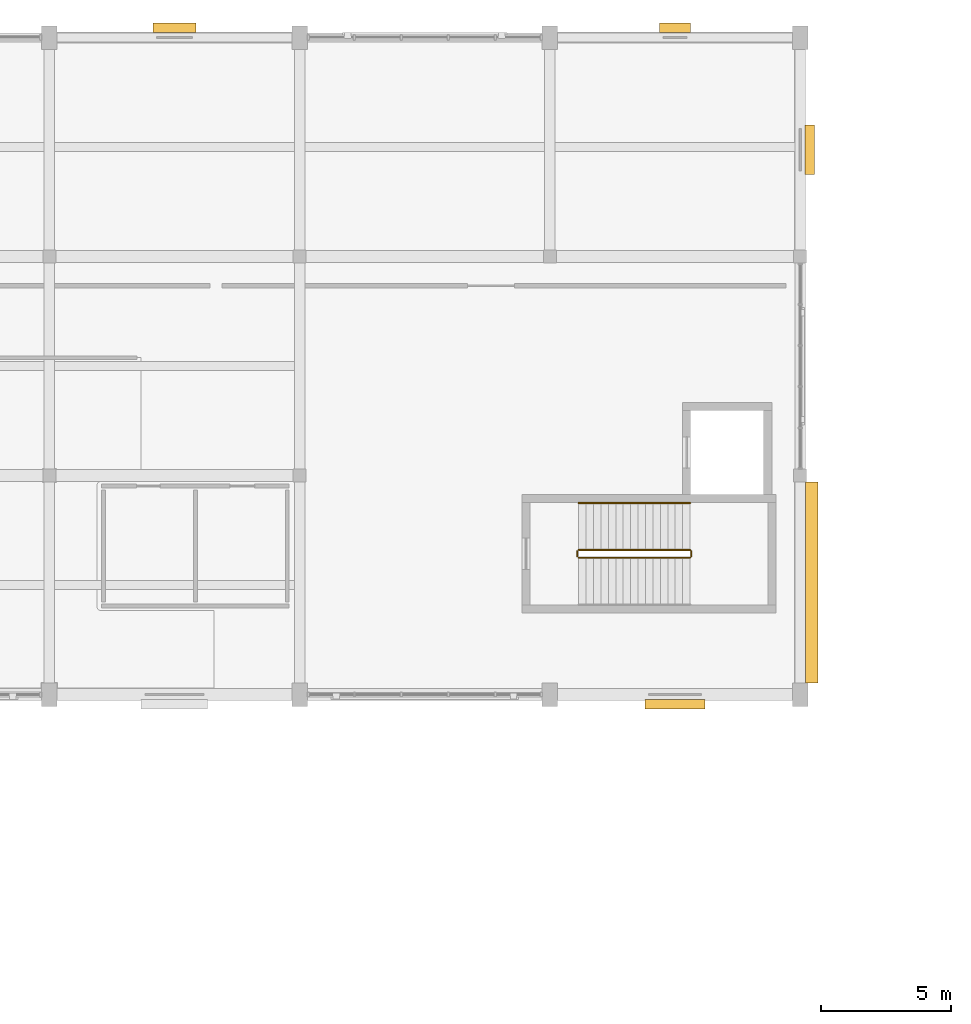
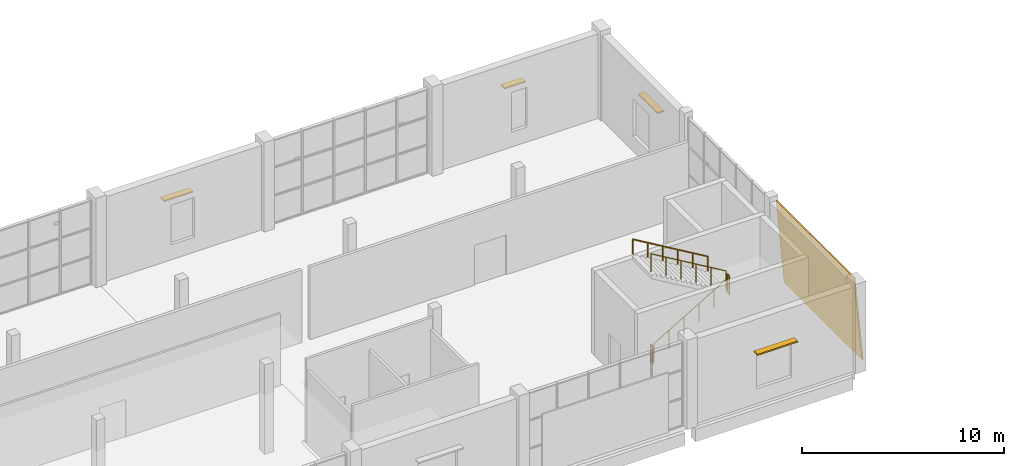
# One storey, part 66 of 72: 5 railings, 4 shading devices, 1 covering.
"""IFC4 building model written with IfcOpenShell, lengths in metres."""

from ifc_helpers import new_model, si_unit, direction, frame, origin, origin_2d, place, context, subcontext, project, spatial, polyline, rectangle, circle, outline, extrude, material, layer, layer_set, type_object, element, save


model = new_model("IFC4")

# Units and contexts
model_context = context("Model", 3, precision=1e-05, world=origin(), true_north=direction((0.0, 1.0)))
body_context = subcontext(model_context, "Body", "Model", "MODEL_VIEW")
ifc_project = project(units=[si_unit("LENGTHUNIT", "METRE"), si_unit("AREAUNIT", "SQUARE_METRE"), si_unit("VOLUMEUNIT", "CUBIC_METRE"), si_unit("PLANEANGLEUNIT", "RADIAN"), si_unit("MASSUNIT", "GRAM", prefix="KILO")], contexts=[model_context])

# Site, building, storey
site_placement = place(None, origin())
site = spatial("IfcSite", under=ifc_project, at=site_placement, CompositionType="ELEMENT")
building_placement = place(site_placement, origin())
building = spatial("IfcBuilding", under=site, at=building_placement, Name="Shalvenor Court Art Gallery", CompositionType="ELEMENT")
storey_placement = place(building_placement, frame((0.0, 0.0, 11.39990234375)))
storey = spatial("IfcBuildingStorey", under=building, at=storey_placement, Name="L02", CompositionType="ELEMENT", Elevation=11.39990234375)

# Covering
ifc_material_1 = material(Name="Pale Mediterranean limestone cladding", Category="masonry")
ifc_layer = layer(ifc_material_1, 0.080078125, Name="Pale Mediterranean limestone cladding")
ifc_layer_set = layer_set([ifc_layer], Name="Pale Mediterranean limestone cladding")
covering_type = type_object("IfcCoveringType", Name="CLD-01", PredefinedType="CLADDING", material=ifc_layer_set)
covering_placement = place(storey_placement, frame((125.47412109375, 97.64990234375, 0.0), z_axis=(0.0, 0.0, 1.0), x_axis=(0.0, 1.0, 0.0)))
element("IfcCovering", 1, at=covering_placement, inside=storey, type_object=covering_type, Name="L02 V2 Tapered Limestone Cladding 36", PredefinedType="CLADDING", context=body_context, shape_type="SweptSolid", body=[
    extrude(outline(polyline([(0.0, 0.0), (7.7001953125, 0.0), (7.7001953125, 5.12109375), (0.0, 5.12109375), (0.0, 0.0)])), frame((0.0, 0.0, 0.0), z_axis=(0.0, -0.995884398616, 0.090632580198), x_axis=(1.0, 0.0, 0.0)), (0.0, 0.090632580198, -0.995884398616), 0.080322265625),
])

# Railings
ifc_material_2 = material(Name="Painted steel post-and-rail guard", Category="steel")
railing_type_1 = type_object("IfcRailingType", Name="GR-02", PredefinedType="GUARDRAIL", material=ifc_material_2)
railing_1_placement = place(storey_placement, frame((116.300048828125, 102.449951171875, 0.1689453125)))
element("IfcRailing", 2, at=railing_1_placement, inside=storey, type_object=railing_type_1, Name="L02 ST-05 Stair Guard 1", PredefinedType="GUARDRAIL", context=body_context, shape_type="SweptSolid", body=[
    extrude(circle(Radius=0.02392578125, at=origin_2d()), frame((0.0, 0.0, 1.09619140625), z_axis=(0.860470286479, 0.0, 0.509500624227), x_axis=(0.0, 1.0, 0.0)), (0.0, 0.0, 1.0), 4.968017578125),
    extrude(circle(Radius=0.02099609375, at=origin_2d()), origin(), (0.0, 0.0, 1.0), 1.072021484375),
    extrude(circle(Radius=0.02099609375, at=origin_2d()), frame((0.85498046875, 0.0, 0.50634765625)), (0.0, 0.0, 1.0), 1.072021484375),
    extrude(circle(Radius=0.02099609375, at=origin_2d()), frame((1.7099609375, 0.0, 1.012451171875)), (0.0, 0.0, 1.0), 1.072021484375),
    extrude(circle(Radius=0.02099609375, at=origin_2d()), frame((2.56494140625, 0.0, 1.518798828125)), (0.0, 0.0, 1.0), 1.072021484375),
    extrude(circle(Radius=0.02099609375, at=origin_2d()), frame((3.419921875, 0.0, 2.02490234375)), (0.0, 0.0, 1.0), 1.072021484375),
    extrude(circle(Radius=0.02099609375, at=origin_2d()), frame((4.27490234375, 0.0, 2.53125)), (0.0, 0.0, 1.0), 1.072021484375),
])
railing_2_placement = place(storey_placement, frame((120.625, 102.5, 2.7001953125)))
element("IfcRailing", 3, at=railing_2_placement, inside=storey, type_object=railing_type_1, Name="L02 ST-05 Stair Guard 2", PredefinedType="GUARDRAIL", context=body_context, shape_type="SweptSolid", body=[
    extrude(circle(Radius=0.02392578125, at=origin_2d()), frame((0.0, 0.0, 1.09619140625), z_axis=(0.0, 1.0, 0.0), x_axis=(-1.0, 0.0, 0.0)), (0.0, 0.0, 1.0), 0.199951171875),
    extrude(circle(Radius=0.02099609375, at=origin_2d()), origin(), (0.0, 0.0, 1.0), 1.072021484375),
    extrude(circle(Radius=0.02099609375, at=origin_2d()), frame((0.0, 0.199951171875, 0.0)), (0.0, 0.0, 1.0), 1.072021484375),
])
railing_3_placement = place(storey_placement, frame((120.574951171875, 102.75, 2.868896484375)))
element("IfcRailing", 4, at=railing_3_placement, inside=storey, type_object=railing_type_1, Name="L02 ST-05 Stair Guard 3", PredefinedType="GUARDRAIL", context=body_context, shape_type="SweptSolid", body=[
    extrude(circle(Radius=0.02392578125, at=origin_2d()), frame((0.0, 0.0, 1.09619140625), z_axis=(-0.860470286479, 0.0, 0.509500624227), x_axis=(0.0, -1.0, 0.0)), (0.0, 0.0, 1.0), 4.968017578125),
    extrude(circle(Radius=0.02099609375, at=origin_2d()), origin(), (0.0, 0.0, 1.0), 1.072021484375),
    extrude(circle(Radius=0.02099609375, at=origin_2d()), frame((-0.85498046875, 0.0, 0.50634765625)), (0.0, 0.0, 1.0), 1.072021484375),
    extrude(circle(Radius=0.02099609375, at=origin_2d()), frame((-1.7099609375, 0.0, 1.012451171875)), (0.0, 0.0, 1.0), 1.072021484375),
    extrude(circle(Radius=0.02099609375, at=origin_2d()), frame((-2.56494140625, 0.0, 1.518798828125)), (0.0, 0.0, 1.0), 1.072021484375),
    extrude(circle(Radius=0.02099609375, at=origin_2d()), frame((-3.419921875, 0.0, 2.02490234375)), (0.0, 0.0, 1.0), 1.072021484375),
    extrude(circle(Radius=0.02099609375, at=origin_2d()), frame((-4.27490234375, 0.0, 2.53125)), (0.0, 0.0, 1.0), 1.072021484375),
])
railing_4_placement = place(storey_placement, frame((116.25, 102.5, 0.0)))
element("IfcRailing", 5, at=railing_4_placement, inside=storey, type_object=railing_type_1, Name="L02 ST-05 Stair Guard 4", PredefinedType="GUARDRAIL", context=body_context, shape_type="SweptSolid", body=[
    extrude(circle(Radius=0.02392578125, at=origin_2d()), frame((0.0, 0.0, 1.09619140625), z_axis=(0.0, 1.0, 0.0), x_axis=(-1.0, 0.0, 0.0)), (0.0, 0.0, 1.0), 0.199951171875),
    extrude(circle(Radius=0.02099609375, at=origin_2d()), origin(), (0.0, 0.0, 1.0), 1.072021484375),
    extrude(circle(Radius=0.02099609375, at=origin_2d()), frame((0.0, 0.199951171875, 0.0)), (0.0, 0.0, 1.0), 1.072021484375),
])
ifc_material_3 = material(Name="Brushed stainless steel handrail", Category="steel")
railing_type_2 = type_object("IfcRailingType", Name="HR-01", PredefinedType="HANDRAIL", material=ifc_material_3)
railing_5_placement = place(storey_placement, frame((120.574951171875, 104.550048828125, 2.868896484375)))
element("IfcRailing", 6, at=railing_5_placement, inside=storey, type_object=railing_type_2, Name="L02 ST-05 Stair Handrail 2", PredefinedType="HANDRAIL", context=body_context, shape_type="SweptSolid", body=[
    extrude(circle(Radius=0.02392578125, at=origin_2d()), frame((0.0, 0.0, 0.8759765625), z_axis=(-0.860470286479, 0.0, 0.509500624227), x_axis=(0.0, -1.0, 0.0)), (0.0, 0.0, 1.0), 4.968017578125),
    extrude(circle(Radius=0.02099609375, at=origin_2d()), origin(), (0.0, 0.0, 1.0), 0.851806640625),
    extrude(circle(Radius=0.02099609375, at=origin_2d()), frame((-0.85498046875, 0.0, 0.50634765625)), (0.0, 0.0, 1.0), 0.851806640625),
    extrude(circle(Radius=0.02099609375, at=origin_2d()), frame((-1.7099609375, 0.0, 1.012451171875)), (0.0, 0.0, 1.0), 0.851806640625),
    extrude(circle(Radius=0.02099609375, at=origin_2d()), frame((-2.56494140625, 0.0, 1.518798828125)), (0.0, 0.0, 1.0), 0.851806640625),
    extrude(circle(Radius=0.02099609375, at=origin_2d()), frame((-3.419921875, 0.0, 2.02490234375)), (0.0, 0.0, 1.0), 0.851806640625),
    extrude(circle(Radius=0.02099609375, at=origin_2d()), frame((-4.27490234375, 0.0, 2.53125)), (0.0, 0.0, 1.0), 0.851806640625),
])

# Shading devices
ifc_material_4 = material(Name="Dark anodised bronze aluminium louvre", Category="aluminium")
shading_device_type = type_object("IfcShadingDeviceType", Name="SHD-01", PredefinedType="JALOUSIE", material=ifc_material_4)
shading_device_1_placement = place(storey_placement, frame((100.800048828125, 122.77001953125, 3.300048828125), z_axis=(0.0, 0.0, 1.0), x_axis=(1.0, 0.0, 0.0)))
element("IfcShadingDevice", 7, at=shading_device_1_placement, inside=storey, type_object=shading_device_type, Name="L02 Koushi Window Sunshade 35", PredefinedType="JALOUSIE", context=body_context, shape_type="SweptSolid", body=[
    extrude(rectangle(XDim=1.64990234375, YDim=0.360107421875, at=origin_2d()), origin(), (0.0, 0.0, 1.0), 0.080078125),
])
shading_device_2_placement = place(storey_placement, frame((120.0, 122.77001953125, 3.300048828125), z_axis=(0.0, 0.0, 1.0), x_axis=(1.0, 0.0, 0.0)))
element("IfcShadingDevice", 8, at=shading_device_2_placement, inside=storey, type_object=shading_device_type, Name="L02 Koushi Window Sunshade 36", PredefinedType="JALOUSIE", context=body_context, shape_type="SweptSolid", body=[
    extrude(rectangle(XDim=1.199951171875, YDim=0.360107421875, at=origin_2d()), origin(), (0.0, 0.0, 1.0), 0.080078125),
])
shading_device_3_placement = place(storey_placement, frame((125.169921875, 118.10009765625, 3.150146484375), z_axis=(0.0, 0.0, 1.0), x_axis=(0.0, -1.0, 0.0)))
element("IfcShadingDevice", 9, at=shading_device_3_placement, inside=storey, type_object=shading_device_type, Name="L02 Koushi Window Sunshade 37", PredefinedType="JALOUSIE", context=body_context, shape_type="SweptSolid", body=[
    extrude(rectangle(XDim=1.89990234375, YDim=0.360107421875, at=origin_2d()), origin(), (0.0, 0.0, 1.0), 0.080078125),
])
shading_device_4_placement = place(storey_placement, frame((120.0, 96.830078125, 3.150146484375), z_axis=(0.0, 0.0, 1.0), x_axis=(-1.0, 0.0, 0.0)))
element("IfcShadingDevice", 10, at=shading_device_4_placement, inside=storey, type_object=shading_device_type, Name="L02 Koushi Window Sunshade 38", PredefinedType="JALOUSIE", context=body_context, shape_type="SweptSolid", body=[
    extrude(rectangle(XDim=2.300048828125, YDim=0.360107421875, at=origin_2d()), origin(), (0.0, 0.0, 1.0), 0.080078125),
])

save(model, "model.ifc")
